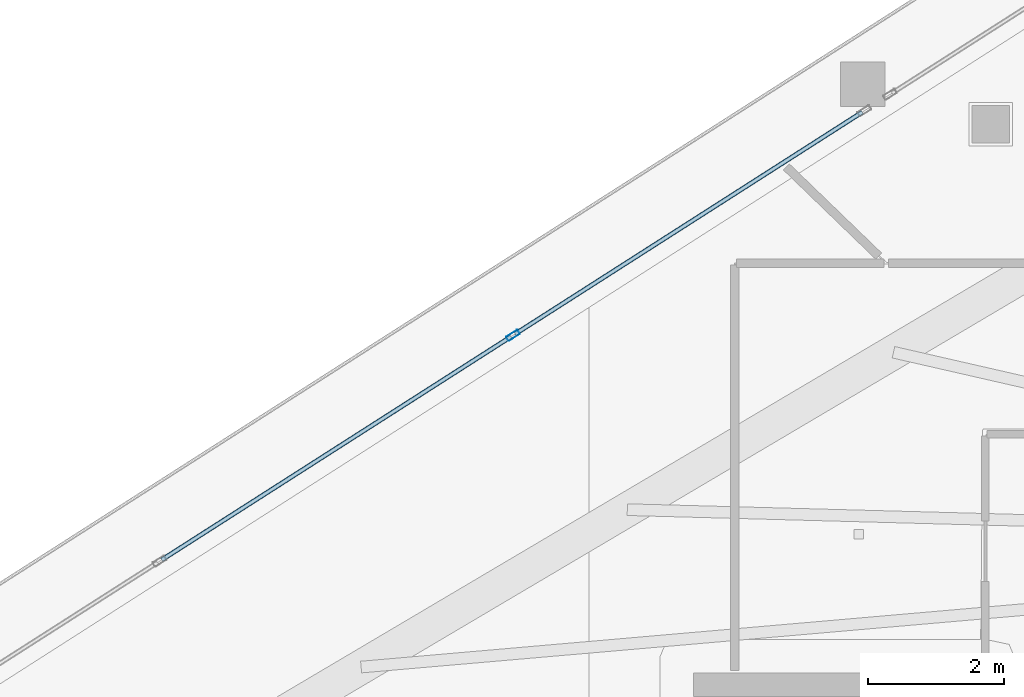
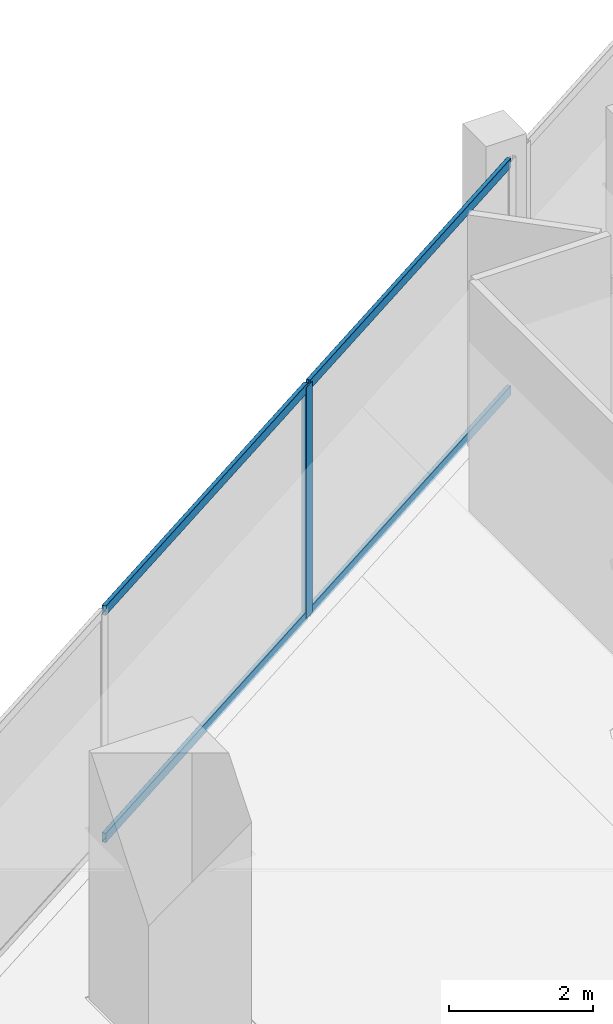
# One storey, part 11 of 31: 5 members, 1 element without a shape of its own.
"""IFC4 building model written with IfcOpenShell, lengths in metres."""

from ifc_helpers import new_model, si_unit, direction, frame, origin, origin_2d, place, context, subcontext, project, spatial, hollow_rectangle, extrude, material, layer, layer_set, material_profile, profile_set, type_object, element, aggregate, save


model = new_model("IFC4")

# Units and contexts
model_context = context("Model", 3, precision=1e-05, world=origin(), true_north=direction((0.0, 1.0)))
body_context = subcontext(model_context, "Body", "Model", "MODEL_VIEW")
ifc_project = project(units=[si_unit("LENGTHUNIT", "METRE"), si_unit("AREAUNIT", "SQUARE_METRE"), si_unit("VOLUMEUNIT", "CUBIC_METRE"), si_unit("PLANEANGLEUNIT", "RADIAN"), si_unit("MASSUNIT", "GRAM", prefix="KILO")], contexts=[model_context])

# Site, building, storey
site_placement = place(None, origin())
site = spatial("IfcSite", under=ifc_project, at=site_placement, CompositionType="ELEMENT")
building_placement = place(site_placement, origin())
building = spatial("IfcBuilding", under=site, at=building_placement, Name="Qorvath Tower", CompositionType="ELEMENT")
storey_placement = place(building_placement, frame((0.0, 0.0, 259.800048828125)))
storey = spatial("IfcBuildingStorey", under=building, at=storey_placement, Name="L60", CompositionType="ELEMENT", Elevation=259.800048828125)

# Curtain wall, members
ifc_material_1 = material(Name="Anodised aluminium and triple low-E glass", Category="aluminium")
ifc_layer = layer(ifc_material_1, 0.179931640625)
ifc_layer_set = layer_set([ifc_layer], Name="CW-SYS-4")
curtain_wall_type = type_object("IfcCurtainWallType", Name="CW-SYS-4", PredefinedType="NOTDEFINED", material=ifc_layer_set)
curtain_wall_placement = place(storey_placement, origin())
curtain_wall = element("IfcCurtainWall", 1, at=curtain_wall_placement, inside=storey, type_object=curtain_wall_type, Name="Curtain Wall CW-4 CW-T-L60-16.3", PredefinedType="NOTDEFINED")
ifc_material_2 = material(Name="Anodised aluminium 6063-T6", Category="aluminium")
ifc_material_profile_1 = material_profile(ifc_material_2, hollow_rectangle(XDim=0.074951171875, YDim=0.199951171875, WallThickness=0.00390625, InnerFilletRadius=0.00390625, OuterFilletRadius=0.008056640625, at=origin_2d()), Name="CWM 200x75")
ifc_profile_set_1 = profile_set([ifc_material_profile_1], Name="Anodised aluminium 6063-T6")
member_type_1 = type_object("IfcMemberType", Name="CWM-200", PredefinedType="MULLION", material=ifc_profile_set_1)
member_1_placement = place(storey_placement, frame((-41.106201171875, 9.69873046875, 0.0), z_axis=(0.0, 0.0, 1.0), x_axis=(0.538533165876, -0.842604313573, 0.0)))
member_1 = element("IfcMember", 2, at=member_1_placement, type_object=member_type_1, Name="CW-4 mullion 2", PredefinedType="MULLION", context=body_context, shape_type="SweptSolid", body=[
    extrude(hollow_rectangle(XDim=0.074951171875, YDim=0.199951171875, WallThickness=0.00390625, InnerFilletRadius=0.00390625, OuterFilletRadius=0.008056640625, at=origin_2d()), origin(), (0.0, 0.0, 1.0), 3.909912109375),
])
ifc_material_3 = material(Name="Anodised aluminium 6063-T6", Category="aluminium")
ifc_material_profile_2 = material_profile(ifc_material_3, hollow_rectangle(XDim=0.06494140625, YDim=0.159912109375, WallThickness=0.00341796875, InnerFilletRadius=0.00341796875, OuterFilletRadius=0.007080078125, at=origin_2d()), Name="CWT 160x65")
ifc_profile_set_2 = profile_set([ifc_material_profile_2], Name="Anodised aluminium 6063-T6")
member_type_2 = type_object("IfcMemberType", Name="CWT-160", PredefinedType="USERDEFINED", material=ifc_profile_set_2)
member_2_placement = place(storey_placement, frame((-35.987060546875, 12.970703125, 0.032470703125), z_axis=(-0.842600955665, -0.538538419718, 0.0), x_axis=(0.538538419718, -0.842600955665, 0.0)))
member_2 = element("IfcMember", 3, at=member_2_placement, type_object=member_type_2, Name="CW-4 transom 1.1", ObjectType="TRANSOM", PredefinedType="USERDEFINED", context=body_context, shape_type="SweptSolid", body=[
    extrude(hollow_rectangle(XDim=0.06494140625, YDim=0.159912109375, WallThickness=0.00341796875, InnerFilletRadius=0.00341796875, OuterFilletRadius=0.007080078125, at=origin_2d()), origin(), (0.0, 0.0, 1.0), 6.0380859375),
])
member_3_placement = place(storey_placement, frame((-35.987060546875, 12.970703125, 3.87744140625), z_axis=(-0.842600955665, -0.538538419718, 0.0), x_axis=(0.538538419718, -0.842600955665, 0.0)))
member_3 = element("IfcMember", 4, at=member_3_placement, type_object=member_type_2, Name="CW-4 transom 1.2", ObjectType="TRANSOM", PredefinedType="USERDEFINED", context=body_context, shape_type="SweptSolid", body=[
    extrude(hollow_rectangle(XDim=0.06494140625, YDim=0.159912109375, WallThickness=0.00341796875, InnerFilletRadius=0.00341796875, OuterFilletRadius=0.007080078125, at=origin_2d()), origin(), (0.0, 0.0, 1.0), 6.0380859375),
])
member_4_placement = place(storey_placement, frame((-41.137939453125, 9.678466796875, 0.032470703125), z_axis=(-0.842609139874, -0.538525614434, 0.0), x_axis=(0.538525614434, -0.842609139874, 0.0)))
member_4 = element("IfcMember", 5, at=member_4_placement, type_object=member_type_2, Name="CW-4 transom 2.1", ObjectType="TRANSOM", PredefinedType="USERDEFINED", context=body_context, shape_type="SweptSolid", body=[
    extrude(hollow_rectangle(XDim=0.06494140625, YDim=0.159912109375, WallThickness=0.00341796875, InnerFilletRadius=0.00341796875, OuterFilletRadius=0.007080078125, at=origin_2d()), origin(), (0.0, 0.0, 1.0), 6.075439453125),
])
member_5_placement = place(storey_placement, frame((-41.137939453125, 9.678466796875, 3.87744140625), z_axis=(-0.842609139874, -0.538525614434, 0.0), x_axis=(0.538525614434, -0.842609139874, 0.0)))
member_5 = element("IfcMember", 6, at=member_5_placement, type_object=member_type_2, Name="CW-4 transom 2.2", ObjectType="TRANSOM", PredefinedType="USERDEFINED", context=body_context, shape_type="SweptSolid", body=[
    extrude(hollow_rectangle(XDim=0.06494140625, YDim=0.159912109375, WallThickness=0.00341796875, InnerFilletRadius=0.00341796875, OuterFilletRadius=0.007080078125, at=origin_2d()), origin(), (0.0, 0.0, 1.0), 6.075439453125),
])
aggregate(curtain_wall, [member_1, member_2, member_3, member_4, member_5])

save(model, "model.ifc")
